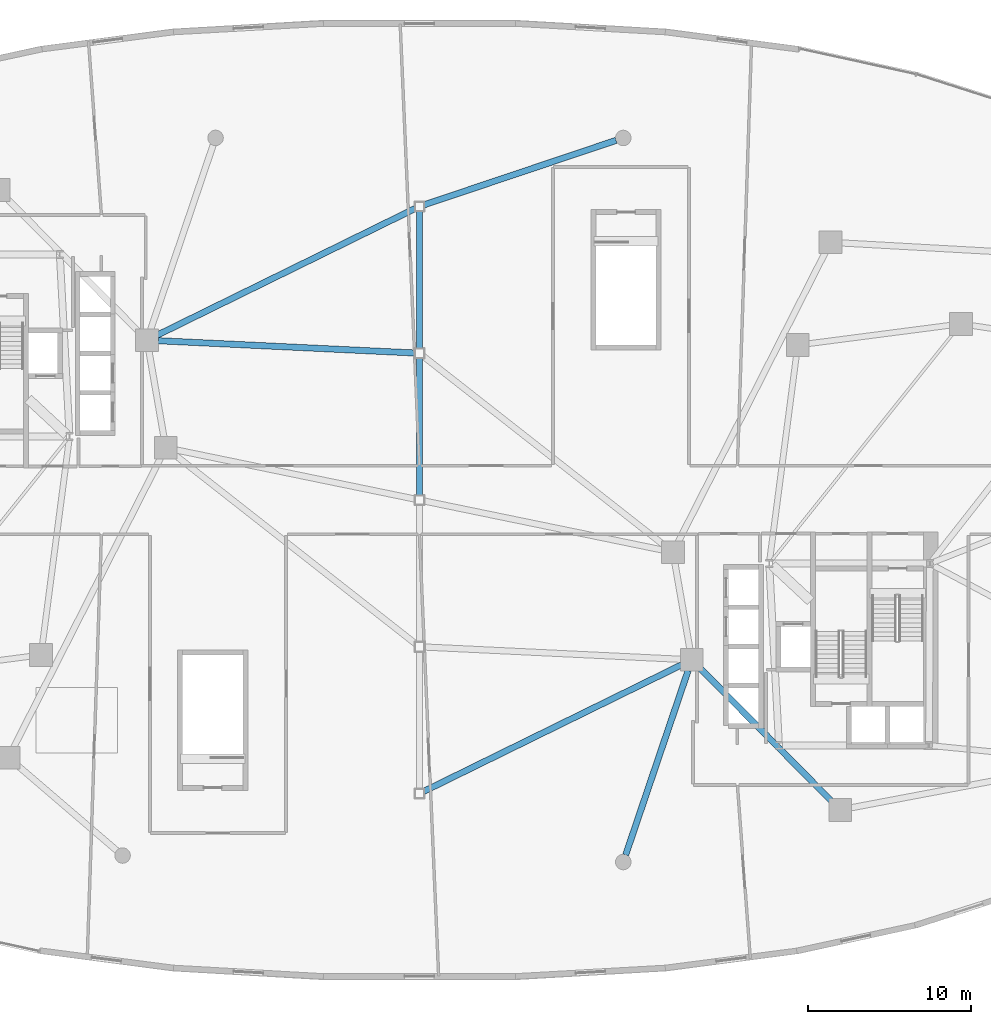
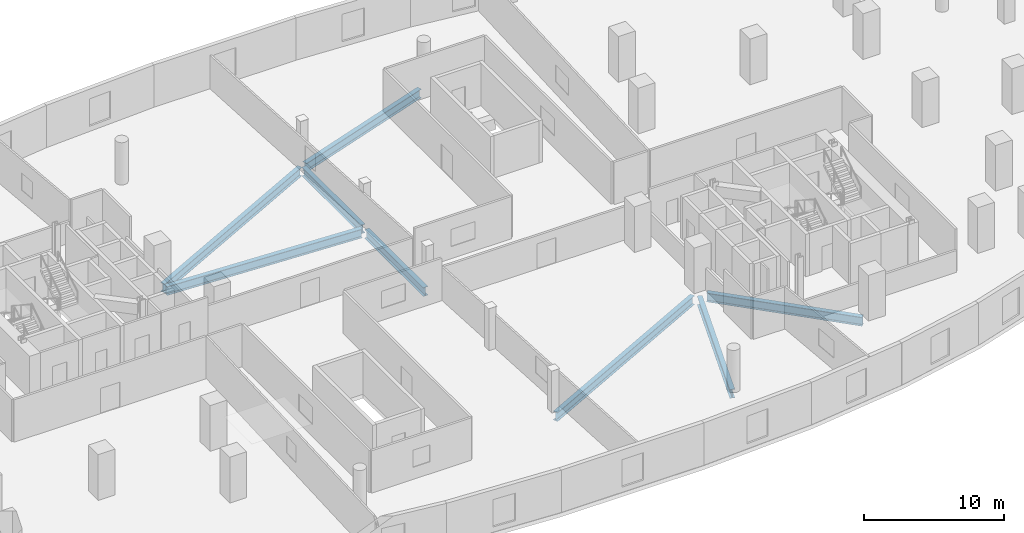
# One storey, part 6 of 18: 8 beams.
"""IFC4 building model written with IfcOpenShell, lengths in metres."""

from ifc_helpers import new_model, si_unit, direction, frame, origin, origin_2d, place, context, subcontext, project, spatial, i_section, extrude, material, material_profile, profile_set, type_object, element, save


model = new_model("IFC4")

# Units and contexts
model_context = context("Model", 3, precision=1e-05, world=origin(), true_north=direction((0.0, 1.0)))
body_context = subcontext(model_context, "Body", "Model", "MODEL_VIEW")
ifc_project = project(units=[si_unit("LENGTHUNIT", "METRE"), si_unit("AREAUNIT", "SQUARE_METRE"), si_unit("VOLUMEUNIT", "CUBIC_METRE"), si_unit("PLANEANGLEUNIT", "RADIAN"), si_unit("MASSUNIT", "GRAM", prefix="KILO"), si_unit("THERMODYNAMICTEMPERATUREUNIT", "KELVIN"), si_unit("POWERUNIT", "WATT")], contexts=[model_context])

# Site, building, storey
site_placement = place(None, origin())
site = spatial("IfcSite", under=ifc_project, at=site_placement, CompositionType="ELEMENT")
building_placement = place(site_placement, origin())
building = spatial("IfcBuilding", under=site, at=building_placement, Name="Cundina Bronze Exchange", CompositionType="ELEMENT")
storey_placement = place(building_placement, frame((0.0, 0.0, 20.0)))
storey = spatial("IfcBuildingStorey", under=building, at=storey_placement, Name="L04", CompositionType="ELEMENT", Elevation=20.0)

# Beams
ifc_material = material(Name="Steel ASTM A992 Grade 50", Category="steel")
ifc_material_profile = material_profile(ifc_material, i_section(OverallWidth=0.381103515625, OverallDepth=0.77294921875, WebThickness=0.0166015625, FlangeThickness=0.027099609375, FilletRadius=0.01904296875, at=origin_2d()), Name="W30X173", Category="steel")
ifc_profile_set = profile_set([ifc_material_profile], Name="Steel ASTM A992 Grade 50")
beam_type = type_object("IfcBeamType", Name="BM-RING-W30", PredefinedType="USERDEFINED", material=ifc_profile_set)
for number, where, z_axis, x_axis, name in (
    (1, (0.0, 0.2880859375, -0.736572265625), (0.0, 1.0, 0.0), (-1.0, 0.0, 0.0), "L04 Concourse Spine Longitudinal Girder 03"),
    (2, (0.0, 9.2880859375, -0.736572265625), (0.0, 1.0, 0.0), (-1.0, 0.0, 0.0), "L04 Concourse Spine Longitudinal Girder 04"),
):
    element("IfcBeam", number, at=place(storey_placement, frame(where, z_axis=z_axis, x_axis=x_axis)), inside=storey, type_object=beam_type, Name=name, ObjectType="GIRDER", PredefinedType="USERDEFINED", context=body_context, shape_type="SweptSolid", body=[
        extrude(i_section(OverallWidth=0.381103515625, OverallDepth=0.77294921875, WebThickness=0.0166015625, FlangeThickness=0.027099609375, FilletRadius=0.01904296875, at=origin_2d()), origin(), (0.0, 0.0, 1.0), 8.423828125),
    ])
beam_1_placement = place(storey_placement, frame((12.06103515625, 22.052490234375, -0.736572265625), z_axis=(-0.947924745571, -0.318494390428, 0.0), x_axis=(0.318494390428, -0.947924745571, 0.0)))
element("IfcBeam", 3, at=beam_1_placement, inside=storey, type_object=beam_type, Name="L04 Podium Colonnade Tie Beam 04", ObjectType="GIRDER", PredefinedType="USERDEFINED", context=body_context, shape_type="SweptSolid", body=[
    extrude(i_section(OverallWidth=0.381103515625, OverallDepth=0.77294921875, WebThickness=0.0166015625, FlangeThickness=0.027099609375, FilletRadius=0.01904296875, at=origin_2d()), origin(), (0.0, 0.0, 1.0), 12.435791015625),
])
beam_2_placement = place(storey_placement, frame((12.6484375, -21.761474609375, -0.736572265625), z_axis=(0.320812062771, 0.947142872211, 0.0), x_axis=(-0.947142872211, 0.320812062771, 0.0)))
element("IfcBeam", 4, at=beam_2_placement, inside=storey, type_object=beam_type, Name="L04 Podium Colonnade Tie Beam 05", ObjectType="GIRDER", PredefinedType="USERDEFINED", context=body_context, shape_type="SweptSolid", body=[
    extrude(i_section(OverallWidth=0.381103515625, OverallDepth=0.77294921875, WebThickness=0.0166015625, FlangeThickness=0.027099609375, FilletRadius=0.01904296875, at=origin_2d()), origin(), (0.0, 0.0, 1.0), 11.94091796875),
])
beam_3_placement = place(storey_placement, frame((0.258544921875, -17.873046875, -0.736572265625), z_axis=(0.897630752677, 0.44074826358, 0.0), x_axis=(-0.44074826358, 0.897630752677, 0.0)))
element("IfcBeam", 5, at=beam_3_placement, inside=storey, type_object=beam_type, Name="L04 Concourse East Span Girder 01", ObjectType="GIRDER", PredefinedType="USERDEFINED", context=body_context, shape_type="SweptSolid", body=[
    extrude(i_section(OverallWidth=0.381103515625, OverallDepth=0.77294921875, WebThickness=0.0166015625, FlangeThickness=0.027099609375, FilletRadius=0.01904296875, at=origin_2d()), origin(), (0.0, 0.0, 1.0), 17.628662109375),
])
beam_4_placement = place(storey_placement, frame((-16.0126953125, 9.76708984375, -0.736572265625), z_axis=(0.998854942473, -0.047841445389, 0.0), x_axis=(0.047841445389, 0.998854942473, 0.0)))
element("IfcBeam", 6, at=beam_4_placement, inside=storey, type_object=beam_type, Name="L04 Concourse West Span Girder 04", ObjectType="GIRDER", PredefinedType="USERDEFINED", context=body_context, shape_type="SweptSolid", body=[
    extrude(i_section(OverallWidth=0.381103515625, OverallDepth=0.77294921875, WebThickness=0.0166015625, FlangeThickness=0.027099609375, FilletRadius=0.01904296875, at=origin_2d()), origin(), (0.0, 0.0, 1.0), 15.7431640625),
])
beam_5_placement = place(storey_placement, frame((-16.08251953125, 10.103271484375, -0.736572265625), z_axis=(0.897630752677, 0.44074826358, 0.0), x_axis=(-0.44074826358, 0.897630752677, 0.0)))
element("IfcBeam", 7, at=beam_5_placement, inside=storey, type_object=beam_type, Name="L04 Concourse West Span Girder 05", ObjectType="GIRDER", PredefinedType="USERDEFINED", context=body_context, shape_type="SweptSolid", body=[
    extrude(i_section(OverallWidth=0.381103515625, OverallDepth=0.77294921875, WebThickness=0.0166015625, FlangeThickness=0.027099609375, FilletRadius=0.01904296875, at=origin_2d()), origin(), (0.0, 0.0, 1.0), 17.628662109375),
])
beam_6_placement = place(storey_placement, frame((17.183837890625, -10.2890625, -0.736572265625), z_axis=(0.703222219128, -0.710970119291, 0.0), x_axis=(0.710970119291, 0.703222219128, 0.0)))
element("IfcBeam", 8, at=beam_6_placement, inside=storey, type_object=beam_type, Name="L04 E Podium Ring Girder 02", ObjectType="GIRDER", PredefinedType="USERDEFINED", context=body_context, shape_type="SweptSolid", body=[
    extrude(i_section(OverallWidth=0.381103515625, OverallDepth=0.77294921875, WebThickness=0.0166015625, FlangeThickness=0.027099609375, FilletRadius=0.01904296875, at=origin_2d()), origin(), (0.0, 0.0, 1.0), 11.564453125),
])

save(model, "model.ifc")
